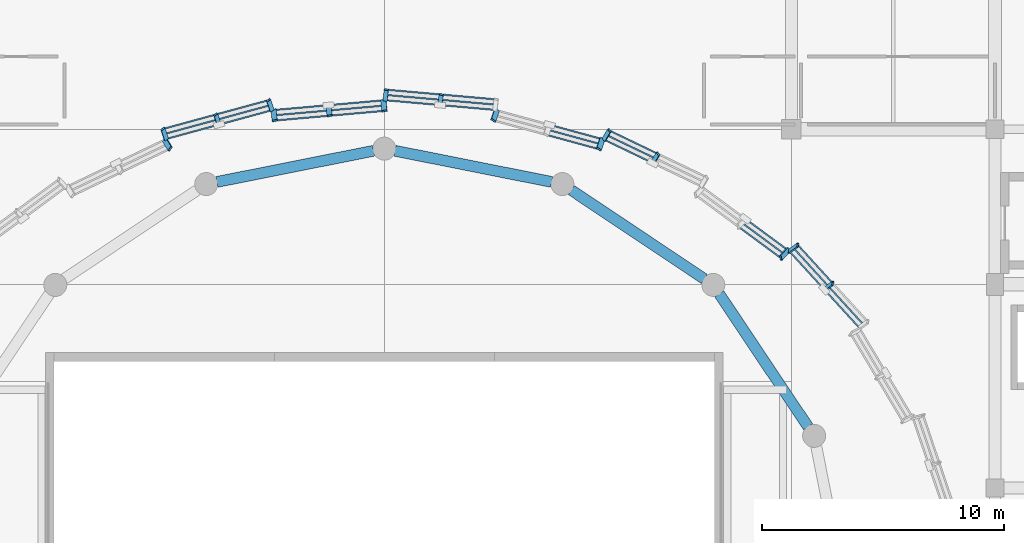
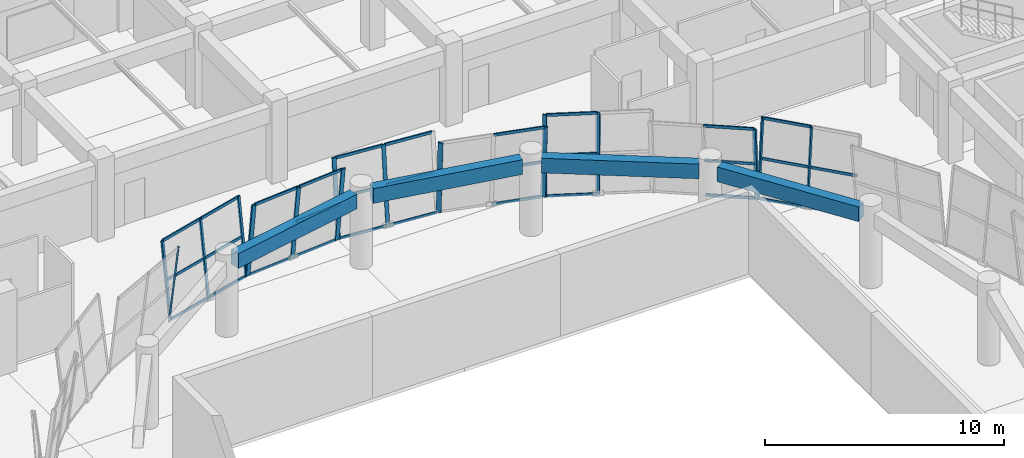
# One storey, part 35 of 71: 48 members, 4 beams, 8 elements without a shape of their own.
"""IFC4 building model written with IfcOpenShell, lengths in metres."""

from ifc_helpers import new_model, si_unit, direction, frame, origin, origin_2d, place, context, subcontext, project, spatial, rectangle, hollow_rectangle, extrude, material, material_profile, profile_set, type_object, element, aggregate, save


model = new_model("IFC4")

# Units and contexts
model_context = context("Model", 3, precision=1e-05, world=origin(), true_north=direction((0.0, 1.0)))
body_context = subcontext(model_context, "Body", "Model", "MODEL_VIEW")
ifc_project = project(units=[si_unit("LENGTHUNIT", "METRE"), si_unit("AREAUNIT", "SQUARE_METRE"), si_unit("VOLUMEUNIT", "CUBIC_METRE"), si_unit("PLANEANGLEUNIT", "RADIAN"), si_unit("MASSUNIT", "GRAM", prefix="KILO")], contexts=[model_context])

# Site, building, storey
site_placement = place(None, origin())
site = spatial("IfcSite", under=ifc_project, at=site_placement, CompositionType="ELEMENT")
building_placement = place(site_placement, origin())
building = spatial("IfcBuilding", under=site, at=building_placement, Name="Korsvaeld Concert Hall", CompositionType="ELEMENT")
storey_placement = place(building_placement, frame((0.0, 0.0, 4.800048828125)))
storey = spatial("IfcBuildingStorey", under=building, at=storey_placement, Name="L01", CompositionType="ELEMENT", Elevation=4.800048828125)

# Beams
ifc_material_1 = material(Name="Concrete C35/45", Category="concrete")
ifc_material_profile_1 = material_profile(ifc_material_1, rectangle(XDim=0.449951171875, YDim=0.75, at=origin_2d()), Name="RC 450x750")
ifc_profile_set_1 = profile_set([ifc_material_profile_1], Name="Concrete C35/45")
beam_type = type_object("IfcBeamType", Name="BM-RC-450x750", PredefinedType="T_BEAM", material=ifc_profile_set_1)
for number, where, z_axis, x_axis, name in (
    (1, (101.488525390625, 70.921630859375, 3.46484375), (-0.555571711953, 0.831468624109, 0.0), (-0.831468624109, -0.555571711953, 0.0), "Drum ring floor girder L01 02"),
    (2, (97.202392578125, 77.026611328125, 3.46484375), (-0.83148573347, 0.55554610523, 0.0), (-0.55554610523, -0.83148573347, 0.0), "Drum ring floor girder L01 03"),
):
    element("IfcBeam", number, at=place(storey_placement, frame(where, z_axis=z_axis, x_axis=x_axis)), inside=storey, type_object=beam_type, Name=name, PredefinedType="T_BEAM", context=body_context, shape_type="SweptSolid", body=[
        extrude(rectangle(XDim=0.449951171875, YDim=0.75, at=origin_2d()), origin(), (0.0, 0.0, 1.0), 6.591552734375),
    ])
for number, where, z_axis, x_axis, name in (
    (3, (90.906005859375, 81.0263671875, 3.46484375), (-0.980785284484, 0.195090301499, 0.0), (-0.195090301499, -0.980785284484, 0.0), "Drum ring floor girder L01 04"),
    (4, (83.55859375, 82.312255859375, 3.46484375), (-0.980785284484, -0.195090301499, 0.0), (0.195090301499, -0.980785284484, 0.0), "Drum ring floor girder L01 05"),
):
    element("IfcBeam", number, at=place(storey_placement, frame(where, z_axis=z_axis, x_axis=x_axis)), inside=storey, type_object=beam_type, Name=name, PredefinedType="T_BEAM", context=body_context, shape_type="SweptSolid", body=[
        extrude(rectangle(XDim=0.449951171875, YDim=0.75, at=origin_2d()), origin(), (0.0, 0.0, 1.0), 6.59130859375),
    ])

# Curtain wall, members
ifc_material_2 = material(Name="Anodised bronze and ceramic-fritted safety glass", Category="glass")
curtain_wall_type_1 = type_object("IfcCurtainWallType", Name="CW-TYPE-04", PredefinedType="USERDEFINED", material=ifc_material_2)
curtain_wall_1_placement = place(storey_placement, origin())
curtain_wall_1 = element("IfcCurtainWall", 5, at=curtain_wall_1_placement, inside=storey, type_object=curtain_wall_type_1, Name="Crystal curtain-wall facet L01 F04", ObjectType="CURTAIN WALL", PredefinedType="USERDEFINED")
ifc_material_3 = material(Name="Anodised architectural bronze aluminium", Category="aluminium")
ifc_material_profile_2 = material_profile(ifc_material_3, hollow_rectangle(XDim=0.074951171875, YDim=0.179931640625, WallThickness=0.0048828125, at=origin_2d()), Name="CWM 180x75x5")
ifc_profile_set_2 = profile_set([ifc_material_profile_2], Name="Anodised architectural bronze aluminium")
member_type_1 = type_object("IfcMemberType", Name="CWM-BRONZE-180x75", PredefinedType="MULLION", material=ifc_profile_set_2)
member_1_placement = place(storey_placement, frame((102.1552734375, 76.58447265625, 0.0), z_axis=(0.091092396556, 0.067147037681, 0.993576092013), x_axis=(0.977499972004, -0.19664090034, -0.076329293496)))
member_1 = element("IfcMember", 6, at=member_1_placement, type_object=member_type_1, Name="CW-CRYS-L01-F04 crystal mullion 2", PredefinedType="MULLION", context=body_context, shape_type="SweptSolid", body=[
    extrude(hollow_rectangle(XDim=0.074951171875, YDim=0.179931640625, WallThickness=0.0048828125, at=origin_2d()), origin(), (0.0, 0.0, 1.0), 3.905029296875),
])
member_2_placement = place(storey_placement, frame((100.712890625, 78.1630859375, 0.0), z_axis=(0.091154397761, 0.067146655141, 0.993570431561), x_axis=(0.977432414107, -0.196963442342, -0.076362806613)))
member_2 = element("IfcMember", 7, at=member_2_placement, type_object=member_type_1, Name="CW-CRYS-L01-F04 crystal mullion 3", PredefinedType="MULLION", context=body_context, shape_type="SweptSolid", body=[
    extrude(hollow_rectangle(XDim=0.074951171875, YDim=0.179931640625, WallThickness=0.0048828125, at=origin_2d()), origin(), (0.0, 0.0, 1.0), 3.905029296875),
])

curtain_wall_type_2 = type_object("IfcCurtainWallType", Name="CW-TYPE-06", PredefinedType="USERDEFINED", material=ifc_material_2)
curtain_wall_2_placement = place(storey_placement, origin())
curtain_wall_2 = element("IfcCurtainWall", 8, at=curtain_wall_2_placement, inside=storey, type_object=curtain_wall_type_2, Name="Crystal curtain-wall facet L01 F06", ObjectType="CURTAIN WALL", PredefinedType="USERDEFINED")
member_3_placement = place(storey_placement, frame((95.0712890625, 81.806640625, 0.0), z_axis=(0.057893742062, 0.097281493141, 0.993571651026), x_axis=(0.829999138773, 0.548349174532, -0.102052008437)))
member_3 = element("IfcMember", 9, at=member_3_placement, type_object=member_type_1, Name="CW-CRYS-L01-F06 crystal mullion 2", PredefinedType="MULLION", context=body_context, shape_type="SweptSolid", body=[
    extrude(hollow_rectangle(XDim=0.074951171875, YDim=0.179931640625, WallThickness=0.0048828125, at=origin_2d()), origin(), (0.0, 0.0, 1.0), 3.905029296875),
])
member_4_placement = place(storey_placement, frame((93.065185546875, 82.77001953125, 0.0), z_axis=(0.057893742062, 0.097281493141, 0.993571651026), x_axis=(0.829999138773, 0.548349174532, -0.102052008437)))
member_4 = element("IfcMember", 10, at=member_4_placement, type_object=member_type_1, Name="CW-CRYS-L01-F06 crystal mullion 3", PredefinedType="MULLION", context=body_context, shape_type="SweptSolid", body=[
    extrude(hollow_rectangle(XDim=0.074951171875, YDim=0.179931640625, WallThickness=0.0048828125, at=origin_2d()), origin(), (0.0, 0.0, 1.0), 3.905029296875),
])

curtain_wall_type_3 = type_object("IfcCurtainWallType", Name="CW-TYPE-08", PredefinedType="USERDEFINED", material=ifc_material_2)
curtain_wall_3_placement = place(storey_placement, origin())
curtain_wall_3 = element("IfcCurtainWall", 11, at=curtain_wall_3_placement, inside=storey, type_object=curtain_wall_type_3, Name="Crystal curtain-wall facet L01 F08", ObjectType="CURTAIN WALL", PredefinedType="USERDEFINED")
member_5_placement = place(storey_placement, frame((86.302001953125, 84.1962890625, 0.0), z_axis=(0.012378993159, 0.11253630145, 0.993570501466), x_axis=(0.195828135114, 0.974132056409, -0.112774457103)))
member_5 = element("IfcMember", 12, at=member_5_placement, type_object=member_type_1, Name="CW-CRYS-L01-F08 crystal mullion 2", PredefinedType="MULLION", context=body_context, shape_type="SweptSolid", body=[
    extrude(hollow_rectangle(XDim=0.074951171875, YDim=0.179931640625, WallThickness=0.0048828125, at=origin_2d()), origin(), (0.0, 0.0, 1.0), 3.905029296875),
])
member_6_placement = place(storey_placement, frame((84.037353515625, 84.396728515625, 0.0), z_axis=(0.0123164825, 0.112536388326, 0.993571268486), x_axis=(0.195293442092, 0.974240168355, -0.11276775177)))
member_6 = element("IfcMember", 13, at=member_6_placement, type_object=member_type_1, Name="CW-CRYS-L01-F08 crystal mullion 3", PredefinedType="MULLION", context=body_context, shape_type="SweptSolid", body=[
    extrude(hollow_rectangle(XDim=0.074951171875, YDim=0.179931640625, WallThickness=0.0048828125, at=origin_2d()), origin(), (0.0, 0.0, 1.0), 3.905029296875),
])

curtain_wall_type_4 = type_object("IfcCurtainWallType", Name="CW-TYPE-02", PredefinedType="USERDEFINED", material=ifc_material_2)
curtain_wall_4_placement = place(storey_placement, origin())
curtain_wall_4 = element("IfcCurtainWall", 14, at=curtain_wall_4_placement, inside=storey, type_object=curtain_wall_type_4, Name="Crystal curtain-wall facet L01 F10", ObjectType="CURTAIN WALL", PredefinedType="USERDEFINED")
member_7_placement = place(storey_placement, frame((79.359619140625, 83.982666015625, 0.0), z_axis=(-0.036199127939, 0.107284462077, 0.993569155788), x_axis=(-0.555586106848, 0.82425112305, -0.109243599485)))
member_7 = element("IfcMember", 15, at=member_7_placement, type_object=member_type_1, Name="CW-CRYS-L01-F10 crystal mullion 1", PredefinedType="MULLION", context=body_context, shape_type="SweptSolid", body=[
    extrude(hollow_rectangle(XDim=0.074951171875, YDim=0.179931640625, WallThickness=0.0048828125, at=origin_2d()), origin(), (0.0, 0.0, 1.0), 3.905029296875),
])
member_8_placement = place(storey_placement, frame((77.182373046875, 83.389404296875, 0.0), z_axis=(-0.036261565885, 0.107284219065, 0.993566905235), x_axis=(-0.556016496994, 0.823958329051, -0.109262651706)))
member_8 = element("IfcMember", 16, at=member_8_placement, type_object=member_type_1, Name="CW-CRYS-L01-F10 crystal mullion 2", PredefinedType="MULLION", context=body_context, shape_type="SweptSolid", body=[
    extrude(hollow_rectangle(XDim=0.074951171875, YDim=0.179931640625, WallThickness=0.0048828125, at=origin_2d()), origin(), (0.0, 0.0, 1.0), 3.905029296875),
])
member_9_placement = place(storey_placement, frame((75.0048828125, 82.796142578125, 0.0), z_axis=(-0.036199370674, 0.107222660976, 0.993575818212), x_axis=(-0.55573373549, 0.824159071594, -0.109187178494)))
member_9 = element("IfcMember", 17, at=member_9_placement, type_object=member_type_1, Name="CW-CRYS-L01-F10 crystal mullion 3", PredefinedType="MULLION", context=body_context, shape_type="SweptSolid", body=[
    extrude(hollow_rectangle(XDim=0.074951171875, YDim=0.179931640625, WallThickness=0.0048828125, at=origin_2d()), origin(), (0.0, 0.0, 1.0), 3.905029296875),
])

# Curtain wall, member
curtain_wall_type_5 = type_object("IfcCurtainWallType", Name="CW-TYPE-05", PredefinedType="USERDEFINED", material=ifc_material_2)
curtain_wall_5_placement = place(storey_placement, origin())
curtain_wall_5 = element("IfcCurtainWall", 18, at=curtain_wall_5_placement, inside=storey, type_object=curtain_wall_type_5, Name="Crystal curtain-wall facet L01 F05", ObjectType="CURTAIN WALL", PredefinedType="USERDEFINED")
ifc_material_profile_3 = material_profile(ifc_material_3, hollow_rectangle(XDim=0.074951171875, YDim=0.219970703125, WallThickness=0.006103515625, at=origin_2d()), Name="CWM 220x75x6")
ifc_profile_set_3 = profile_set([ifc_material_profile_3], Name="Anodised architectural bronze aluminium")
member_type_2 = type_object("IfcMemberType", Name="CWM-BRONZE-220x75", PredefinedType="MULLION", material=ifc_profile_set_3)
member_10_placement = place(storey_placement, frame((100.657470703125, 78.212890625, 0.0), z_axis=(-0.076337242942, -0.083589593623, 0.993572043275), x_axis=(-0.97747454033, -0.190371504957, -0.091116480989)))
member_10 = element("IfcMember", 19, at=member_10_placement, type_object=member_type_2, Name="CW-CRYS-L01-F05 crystal mullion 1", PredefinedType="MULLION", context=body_context, shape_type="SweptSolid", body=[
    extrude(hollow_rectangle(XDim=0.074951171875, YDim=0.219970703125, WallThickness=0.006103515625, at=origin_2d()), origin(), (0.0, 0.0, 1.0), 3.905029296875),
])

# Curtain wall, members
curtain_wall_type_6 = type_object("IfcCurtainWallType", Name="CW-TYPE-07", PredefinedType="USERDEFINED", material=ifc_material_2)
curtain_wall_6_placement = place(storey_placement, origin())
curtain_wall_6 = element("IfcCurtainWall", 20, at=curtain_wall_6_placement, inside=storey, type_object=curtain_wall_type_6, Name="Crystal curtain-wall facet L01 F07", ObjectType="CURTAIN WALL", PredefinedType="USERDEFINED")
member_11_placement = place(storey_placement, frame((92.9951171875, 82.796142578125, 0.0), z_axis=(-0.036199127939, -0.107284462077, 0.993569155788), x_axis=(-0.555586106848, -0.82425112305, -0.109243599485)))
member_11 = element("IfcMember", 21, at=member_11_placement, type_object=member_type_2, Name="CW-CRYS-L01-F07 crystal mullion 1", PredefinedType="MULLION", context=body_context, shape_type="SweptSolid", body=[
    extrude(hollow_rectangle(XDim=0.074951171875, YDim=0.219970703125, WallThickness=0.006103515625, at=origin_2d()), origin(), (0.0, 0.0, 1.0), 3.905029296875),
])
member_12_placement = place(storey_placement, frame((88.640380859375, 83.982666015625, 0.0), z_axis=(-0.036261809037, -0.107222418101, 0.993573567614), x_axis=(-0.556164276889, -0.823866065586, -0.109206241069)))
member_12 = element("IfcMember", 22, at=member_12_placement, type_object=member_type_2, Name="CW-CRYS-L01-F07 crystal mullion 3", PredefinedType="MULLION", context=body_context, shape_type="SweptSolid", body=[
    extrude(hollow_rectangle(XDim=0.074951171875, YDim=0.219970703125, WallThickness=0.006103515625, at=origin_2d()), origin(), (0.0, 0.0, 1.0), 3.905029296875),
])

curtain_wall_type_7 = type_object("IfcCurtainWallType", Name="CW-TYPE-01", PredefinedType="USERDEFINED", material=ifc_material_2)
curtain_wall_7_placement = place(storey_placement, origin())
curtain_wall_7 = element("IfcCurtainWall", 23, at=curtain_wall_7_placement, inside=storey, type_object=curtain_wall_type_7, Name="Crystal curtain-wall facet L01 F09", ObjectType="CURTAIN WALL", PredefinedType="USERDEFINED")
member_13_placement = place(storey_placement, frame((83.962646484375, 84.396728515625, 0.0), z_axis=(0.0123164825, -0.112536388326, 0.993571268486), x_axis=(0.195293442092, -0.974240168355, -0.11276775177)))
member_13 = element("IfcMember", 24, at=member_13_placement, type_object=member_type_2, Name="CW-CRYS-L01-F09 crystal mullion 1", PredefinedType="MULLION", context=body_context, shape_type="SweptSolid", body=[
    extrude(hollow_rectangle(XDim=0.074951171875, YDim=0.219970703125, WallThickness=0.006103515625, at=origin_2d()), origin(), (0.0, 0.0, 1.0), 3.905029296875),
])
member_14_placement = place(storey_placement, frame((81.697998046875, 84.1962890625, 0.0), z_axis=(0.0123164825, -0.112536388326, 0.993571268486), x_axis=(0.195293442092, -0.974240168355, -0.11276775177)))
member_14 = element("IfcMember", 25, at=member_14_placement, type_object=member_type_2, Name="CW-CRYS-L01-F09 crystal mullion 2", PredefinedType="MULLION", context=body_context, shape_type="SweptSolid", body=[
    extrude(hollow_rectangle(XDim=0.074951171875, YDim=0.219970703125, WallThickness=0.006103515625, at=origin_2d()), origin(), (0.0, 0.0, 1.0), 3.905029296875),
])
member_15_placement = place(storey_placement, frame((79.433349609375, 83.995849609375, 0.0), z_axis=(0.0123164825, -0.112536388326, 0.993571268486), x_axis=(0.195293442092, -0.974240168355, -0.11276775177)))
member_15 = element("IfcMember", 26, at=member_15_placement, type_object=member_type_2, Name="CW-CRYS-L01-F09 crystal mullion 3", PredefinedType="MULLION", context=body_context, shape_type="SweptSolid", body=[
    extrude(hollow_rectangle(XDim=0.074951171875, YDim=0.219970703125, WallThickness=0.006103515625, at=origin_2d()), origin(), (0.0, 0.0, 1.0), 3.905029296875),
])

# Curtain wall, member
curtain_wall_type_8 = type_object("IfcCurtainWallType", Name="CW-TYPE-03", PredefinedType="USERDEFINED", material=ifc_material_2)
curtain_wall_8_placement = place(storey_placement, origin())
curtain_wall_8 = element("IfcCurtainWall", 27, at=curtain_wall_8_placement, inside=storey, type_object=curtain_wall_type_8, Name="Crystal curtain-wall facet L01 F11", ObjectType="CURTAIN WALL", PredefinedType="USERDEFINED")
member_16_placement = place(storey_placement, frame((74.934814453125, 82.77001953125, 0.0), z_axis=(0.057893742062, -0.097281493141, 0.993571651026), x_axis=(0.829999138773, -0.548349174532, -0.102052008437)))
member_16 = element("IfcMember", 28, at=member_16_placement, type_object=member_type_2, Name="CW-CRYS-L01-F11 crystal mullion 1", PredefinedType="MULLION", context=body_context, shape_type="SweptSolid", body=[
    extrude(hollow_rectangle(XDim=0.074951171875, YDim=0.219970703125, WallThickness=0.006103515625, at=origin_2d()), origin(), (0.0, 0.0, 1.0), 3.905029296875),
])
aggregate(curtain_wall_8, [member_16])

# Member
ifc_material_profile_4 = material_profile(ifc_material_3, hollow_rectangle(XDim=0.06005859375, YDim=0.139892578125, WallThickness=0.00390625, at=origin_2d()), Name="CWT 140x60x4")
ifc_profile_set_4 = profile_set([ifc_material_profile_4], Name="Anodised architectural bronze aluminium")
member_type_3 = type_object("IfcMemberType", Name="CWT-BRONZE-140x60", PredefinedType="USERDEFINED", material=ifc_profile_set_4)
member_17_placement = place(storey_placement, frame((103.574951171875, 75.035400390625, 0.030029296875), z_axis=(-0.674437681465, 0.738331777604, 0.0), x_axis=(-0.738331777604, -0.674437681465, 0.0)))
member_17 = element("IfcMember", 29, at=member_17_placement, type_object=member_type_3, Name="CW-CRYS-L01-F04 crystal transom 1.1", ObjectType="TRANSOM", PredefinedType="USERDEFINED", context=body_context, shape_type="SweptSolid", body=[
    extrude(hollow_rectangle(XDim=0.06005859375, YDim=0.139892578125, WallThickness=0.00390625, at=origin_2d()), origin(), (0.0, 0.0, 1.0), 2.063232421875),
])

member_18_placement = place(storey_placement, frame((103.75, 75.16455078125, 1.93994140625), z_axis=(-0.674437681465, 0.738331777604, 0.0), x_axis=(-0.738331777604, -0.674437681465, 0.0)))
member_18 = element("IfcMember", 30, at=member_18_placement, type_object=member_type_3, Name="CW-CRYS-L01-F04 crystal transom 1.2", ObjectType="TRANSOM", PredefinedType="USERDEFINED", context=body_context, shape_type="SweptSolid", body=[
    extrude(hollow_rectangle(XDim=0.06005859375, YDim=0.139892578125, WallThickness=0.00390625, at=origin_2d()), origin(), (0.0, 0.0, 1.0), 2.063232421875),
])

member_19_placement = place(storey_placement, frame((102.132568359375, 76.614013671875, 0.030029296875), z_axis=(-0.674437681465, 0.738331777604, 0.0), x_axis=(-0.738331777604, -0.674437681465, 0.0)))
member_19 = element("IfcMember", 31, at=member_19_placement, type_object=member_type_3, Name="CW-CRYS-L01-F04 crystal transom 2.1", ObjectType="TRANSOM", PredefinedType="USERDEFINED", context=body_context, shape_type="SweptSolid", body=[
    extrude(hollow_rectangle(XDim=0.06005859375, YDim=0.139892578125, WallThickness=0.00390625, at=origin_2d()), origin(), (0.0, 0.0, 1.0), 2.063232421875),
])

member_20_placement = place(storey_placement, frame((102.307861328125, 76.7431640625, 1.93994140625), z_axis=(-0.674437681465, 0.738331777604, 0.0), x_axis=(-0.738331777604, -0.674437681465, 0.0)))
member_20 = element("IfcMember", 32, at=member_20_placement, type_object=member_type_3, Name="CW-CRYS-L01-F04 crystal transom 2.2", ObjectType="TRANSOM", PredefinedType="USERDEFINED", context=body_context, shape_type="SweptSolid", body=[
    extrude(hollow_rectangle(XDim=0.06005859375, YDim=0.139892578125, WallThickness=0.00390625, at=origin_2d()), origin(), (0.0, 0.0, 1.0), 2.063232421875),
])

member_21_placement = place(storey_placement, frame((102.48291015625, 76.872314453125, 3.849853515625), z_axis=(-0.674496604142, 0.738277949692, 0.0), x_axis=(-0.738277949692, -0.674496604142, 0.0)))
member_21 = element("IfcMember", 33, at=member_21_placement, type_object=member_type_3, Name="CW-CRYS-L01-F04 crystal transom 2.3", ObjectType="TRANSOM", PredefinedType="USERDEFINED", context=body_context, shape_type="SweptSolid", body=[
    extrude(hollow_rectangle(XDim=0.06005859375, YDim=0.139892578125, WallThickness=0.00390625, at=origin_2d()), origin(), (0.0, 0.0, 1.0), 2.063232421875),
])

aggregate(curtain_wall_1, [member_1, member_2, member_17, member_18, member_19, member_20, member_21])

member_22_placement = place(storey_placement, frame((100.625, 78.232666015625, 0.030029296875), z_axis=(-0.804904507896, 0.593404358906, 0.0), x_axis=(-0.593404358906, -0.804904507896, 0.0)))
member_22 = element("IfcMember", 34, at=member_22_placement, type_object=member_type_3, Name="CW-CRYS-L01-F05 crystal transom 1.1", ObjectType="TRANSOM", PredefinedType="USERDEFINED", context=body_context, shape_type="SweptSolid", body=[
    extrude(hollow_rectangle(XDim=0.06005859375, YDim=0.139892578125, WallThickness=0.00390625, at=origin_2d()), origin(), (0.0, 0.0, 1.0), 2.10888671875),
])

member_23_placement = place(storey_placement, frame((100.478271484375, 78.072021484375, 1.93994140625), z_axis=(-0.804904507896, 0.593404358906, 0.0), x_axis=(-0.593404358906, -0.804904507896, 0.0)))
member_23 = element("IfcMember", 35, at=member_23_placement, type_object=member_type_3, Name="CW-CRYS-L01-F05 crystal transom 1.2", ObjectType="TRANSOM", PredefinedType="USERDEFINED", context=body_context, shape_type="SweptSolid", body=[
    extrude(hollow_rectangle(XDim=0.06005859375, YDim=0.139892578125, WallThickness=0.00390625, at=origin_2d()), origin(), (0.0, 0.0, 1.0), 2.10888671875),
])

member_24_placement = place(storey_placement, frame((100.33154296875, 77.911376953125, 3.849853515625), z_axis=(-0.804904507896, 0.593404358906, 0.0), x_axis=(-0.593404358906, -0.804904507896, 0.0)))
member_24 = element("IfcMember", 36, at=member_24_placement, type_object=member_type_3, Name="CW-CRYS-L01-F05 crystal transom 1.3", ObjectType="TRANSOM", PredefinedType="USERDEFINED", context=body_context, shape_type="SweptSolid", body=[
    extrude(hollow_rectangle(XDim=0.06005859375, YDim=0.139892578125, WallThickness=0.00390625, at=origin_2d()), origin(), (0.0, 0.0, 1.0), 2.10888671875),
])

aggregate(curtain_wall_5, [member_10, member_22, member_23, member_24])

member_25_placement = place(storey_placement, frame((95.039306640625, 81.825927734375, 0.030029296875), z_axis=(-0.901508884705, 0.432760592935, 0.0), x_axis=(-0.432760592935, -0.901508884705, 0.0)))
member_25 = element("IfcMember", 37, at=member_25_placement, type_object=member_type_3, Name="CW-CRYS-L01-F06 crystal transom 2.1", ObjectType="TRANSOM", PredefinedType="USERDEFINED", context=body_context, shape_type="SweptSolid", body=[
    extrude(hollow_rectangle(XDim=0.06005859375, YDim=0.139892578125, WallThickness=0.00390625, at=origin_2d()), origin(), (0.0, 0.0, 1.0), 2.150634765625),
])

member_26_placement = place(storey_placement, frame((95.150634765625, 82.012939453125, 1.93994140625), z_axis=(-0.901508884705, 0.432760592935, 0.0), x_axis=(-0.432760592935, -0.901508884705, 0.0)))
member_26 = element("IfcMember", 38, at=member_26_placement, type_object=member_type_3, Name="CW-CRYS-L01-F06 crystal transom 2.2", ObjectType="TRANSOM", PredefinedType="USERDEFINED", context=body_context, shape_type="SweptSolid", body=[
    extrude(hollow_rectangle(XDim=0.06005859375, YDim=0.139892578125, WallThickness=0.00390625, at=origin_2d()), origin(), (0.0, 0.0, 1.0), 2.150634765625),
])

member_27_placement = place(storey_placement, frame((95.261962890625, 82.199951171875, 3.849853515625), z_axis=(-0.901508884705, 0.432760592935, 0.0), x_axis=(-0.432760592935, -0.901508884705, 0.0)))
member_27 = element("IfcMember", 39, at=member_27_placement, type_object=member_type_3, Name="CW-CRYS-L01-F06 crystal transom 2.3", ObjectType="TRANSOM", PredefinedType="USERDEFINED", context=body_context, shape_type="SweptSolid", body=[
    extrude(hollow_rectangle(XDim=0.06005859375, YDim=0.139892578125, WallThickness=0.00390625, at=origin_2d()), origin(), (0.0, 0.0, 1.0), 2.150634765625),
])

aggregate(curtain_wall_2, [member_3, member_4, member_25, member_26, member_27])

member_28_placement = place(storey_placement, frame((92.957763671875, 82.802734375, 0.030029296875), z_axis=(-0.964833511963, 0.262861739689, 0.0), x_axis=(-0.262861739689, -0.964833511963, 0.0)))
member_28 = element("IfcMember", 40, at=member_28_placement, type_object=member_type_3, Name="CW-CRYS-L01-F07 crystal transom 1.1", ObjectType="TRANSOM", PredefinedType="USERDEFINED", context=body_context, shape_type="SweptSolid", body=[
    extrude(hollow_rectangle(XDim=0.06005859375, YDim=0.139892578125, WallThickness=0.00390625, at=origin_2d()), origin(), (0.0, 0.0, 1.0), 2.181640625),
])

member_29_placement = place(storey_placement, frame((92.88818359375, 82.596435546875, 1.93994140625), z_axis=(-0.964805126409, 0.262965906641, 0.0), x_axis=(-0.262965906641, -0.964805126409, 0.0)))
member_29 = element("IfcMember", 41, at=member_29_placement, type_object=member_type_3, Name="CW-CRYS-L01-F07 crystal transom 1.2", ObjectType="TRANSOM", PredefinedType="USERDEFINED", context=body_context, shape_type="SweptSolid", body=[
    extrude(hollow_rectangle(XDim=0.06005859375, YDim=0.139892578125, WallThickness=0.00390625, at=origin_2d()), origin(), (0.0, 0.0, 1.0), 2.181884765625),
])

member_30_placement = place(storey_placement, frame((92.818603515625, 82.390380859375, 3.849853515625), z_axis=(-0.964833511963, 0.262861739689, 0.0), x_axis=(-0.262861739689, -0.964833511963, 0.0)))
member_30 = element("IfcMember", 42, at=member_30_placement, type_object=member_type_3, Name="CW-CRYS-L01-F07 crystal transom 1.3", ObjectType="TRANSOM", PredefinedType="USERDEFINED", context=body_context, shape_type="SweptSolid", body=[
    extrude(hollow_rectangle(XDim=0.06005859375, YDim=0.139892578125, WallThickness=0.00390625, at=origin_2d()), origin(), (0.0, 0.0, 1.0), 2.181640625),
])

aggregate(curtain_wall_6, [member_11, member_12, member_28, member_29, member_30])

member_31_placement = place(storey_placement, frame((88.52978515625, 84.002685546875, 0.030029296875), z_axis=(-0.996114965607, 0.088062337539, 0.0), x_axis=(-0.088062337539, -0.996114965607, 0.0)))
member_31 = element("IfcMember", 43, at=member_31_placement, type_object=member_type_3, Name="CW-CRYS-L01-F08 crystal transom 1.1", ObjectType="TRANSOM", PredefinedType="USERDEFINED", context=body_context, shape_type="SweptSolid", body=[
    extrude(hollow_rectangle(XDim=0.06005859375, YDim=0.139892578125, WallThickness=0.00390625, at=origin_2d()), origin(), (0.0, 0.0, 1.0), 2.198486328125),
])

member_32_placement = place(storey_placement, frame((88.553466796875, 84.218994140625, 1.93994140625), z_axis=(-0.996114965607, 0.088062337539, 0.0), x_axis=(-0.088062337539, -0.996114965607, 0.0)))
member_32 = element("IfcMember", 44, at=member_32_placement, type_object=member_type_3, Name="CW-CRYS-L01-F08 crystal transom 1.2", ObjectType="TRANSOM", PredefinedType="USERDEFINED", context=body_context, shape_type="SweptSolid", body=[
    extrude(hollow_rectangle(XDim=0.06005859375, YDim=0.139892578125, WallThickness=0.00390625, at=origin_2d()), origin(), (0.0, 0.0, 1.0), 2.198486328125),
])

member_33_placement = place(storey_placement, frame((88.5771484375, 84.435302734375, 3.849853515625), z_axis=(-0.996105218313, 0.088172524341, 0.0), x_axis=(-0.088172524341, -0.996105218313, 0.0)))
member_33 = element("IfcMember", 45, at=member_33_placement, type_object=member_type_3, Name="CW-CRYS-L01-F08 crystal transom 1.3", ObjectType="TRANSOM", PredefinedType="USERDEFINED", context=body_context, shape_type="SweptSolid", body=[
    extrude(hollow_rectangle(XDim=0.06005859375, YDim=0.139892578125, WallThickness=0.00390625, at=origin_2d()), origin(), (0.0, 0.0, 1.0), 2.198486328125),
])

member_34_placement = place(storey_placement, frame((86.26513671875, 84.202880859375, 0.030029296875), z_axis=(-0.996105218313, 0.088172524341, 0.0), x_axis=(-0.088172524341, -0.996105218313, 0.0)))
member_34 = element("IfcMember", 46, at=member_34_placement, type_object=member_type_3, Name="CW-CRYS-L01-F08 crystal transom 2.1", ObjectType="TRANSOM", PredefinedType="USERDEFINED", context=body_context, shape_type="SweptSolid", body=[
    extrude(hollow_rectangle(XDim=0.06005859375, YDim=0.139892578125, WallThickness=0.00390625, at=origin_2d()), origin(), (0.0, 0.0, 1.0), 2.198486328125),
])

member_35_placement = place(storey_placement, frame((86.288818359375, 84.41943359375, 1.93994140625), z_axis=(-0.996114965607, 0.088062337539, 0.0), x_axis=(-0.088062337539, -0.996114965607, 0.0)))
member_35 = element("IfcMember", 47, at=member_35_placement, type_object=member_type_3, Name="CW-CRYS-L01-F08 crystal transom 2.2", ObjectType="TRANSOM", PredefinedType="USERDEFINED", context=body_context, shape_type="SweptSolid", body=[
    extrude(hollow_rectangle(XDim=0.06005859375, YDim=0.139892578125, WallThickness=0.00390625, at=origin_2d()), origin(), (0.0, 0.0, 1.0), 2.198486328125),
])

member_36_placement = place(storey_placement, frame((86.3125, 84.6357421875, 3.849853515625), z_axis=(-0.996114965607, 0.088062337539, 0.0), x_axis=(-0.088062337539, -0.996114965607, 0.0)))
member_36 = element("IfcMember", 48, at=member_36_placement, type_object=member_type_3, Name="CW-CRYS-L01-F08 crystal transom 2.3", ObjectType="TRANSOM", PredefinedType="USERDEFINED", context=body_context, shape_type="SweptSolid", body=[
    extrude(hollow_rectangle(XDim=0.06005859375, YDim=0.139892578125, WallThickness=0.00390625, at=origin_2d()), origin(), (0.0, 0.0, 1.0), 2.198486328125),
])

aggregate(curtain_wall_3, [member_5, member_6, member_31, member_32, member_33, member_34, member_35, member_36])

member_37_placement = place(storey_placement, frame((83.92578125, 84.389892578125, 0.030029296875), z_axis=(-0.996115826652, -0.088052597317, 0.0), x_axis=(0.088052597317, -0.996115826652, 0.0)))
member_37 = element("IfcMember", 49, at=member_37_placement, type_object=member_type_3, Name="CW-CRYS-L01-F09 crystal transom 1.1", ObjectType="TRANSOM", PredefinedType="USERDEFINED", context=body_context, shape_type="SweptSolid", body=[
    extrude(hollow_rectangle(XDim=0.06005859375, YDim=0.139892578125, WallThickness=0.00390625, at=origin_2d()), origin(), (0.0, 0.0, 1.0), 2.19873046875),
])

member_38_placement = place(storey_placement, frame((83.949462890625, 84.173583984375, 1.93994140625), z_axis=(-0.996115826652, -0.088052597317, 0.0), x_axis=(0.088052597317, -0.996115826652, 0.0)))
member_38 = element("IfcMember", 50, at=member_38_placement, type_object=member_type_3, Name="CW-CRYS-L01-F09 crystal transom 1.2", ObjectType="TRANSOM", PredefinedType="USERDEFINED", context=body_context, shape_type="SweptSolid", body=[
    extrude(hollow_rectangle(XDim=0.06005859375, YDim=0.139892578125, WallThickness=0.00390625, at=origin_2d()), origin(), (0.0, 0.0, 1.0), 2.19873046875),
])

member_39_placement = place(storey_placement, frame((83.97314453125, 83.957275390625, 3.849853515625), z_axis=(-0.996114965607, -0.088062337539, 0.0), x_axis=(0.088062337539, -0.996114965607, 0.0)))
member_39 = element("IfcMember", 51, at=member_39_placement, type_object=member_type_3, Name="CW-CRYS-L01-F09 crystal transom 1.3", ObjectType="TRANSOM", PredefinedType="USERDEFINED", context=body_context, shape_type="SweptSolid", body=[
    extrude(hollow_rectangle(XDim=0.06005859375, YDim=0.139892578125, WallThickness=0.00390625, at=origin_2d()), origin(), (0.0, 0.0, 1.0), 2.198486328125),
])

member_40_placement = place(storey_placement, frame((81.660888671875, 84.189697265625, 0.030029296875), z_axis=(-0.996105218313, -0.088172524341, 0.0), x_axis=(0.088172524341, -0.996105218313, 0.0)))
member_40 = element("IfcMember", 52, at=member_40_placement, type_object=member_type_3, Name="CW-CRYS-L01-F09 crystal transom 2.1", ObjectType="TRANSOM", PredefinedType="USERDEFINED", context=body_context, shape_type="SweptSolid", body=[
    extrude(hollow_rectangle(XDim=0.06005859375, YDim=0.139892578125, WallThickness=0.00390625, at=origin_2d()), origin(), (0.0, 0.0, 1.0), 2.198486328125),
])

member_41_placement = place(storey_placement, frame((81.6845703125, 83.973388671875, 1.93994140625), z_axis=(-0.996105218313, -0.088172524341, 0.0), x_axis=(0.088172524341, -0.996105218313, 0.0)))
member_41 = element("IfcMember", 53, at=member_41_placement, type_object=member_type_3, Name="CW-CRYS-L01-F09 crystal transom 2.2", ObjectType="TRANSOM", PredefinedType="USERDEFINED", context=body_context, shape_type="SweptSolid", body=[
    extrude(hollow_rectangle(XDim=0.06005859375, YDim=0.139892578125, WallThickness=0.00390625, at=origin_2d()), origin(), (0.0, 0.0, 1.0), 2.198486328125),
])

member_42_placement = place(storey_placement, frame((81.70849609375, 83.757080078125, 3.849853515625), z_axis=(-0.996106081505, -0.088162772123, 0.0), x_axis=(0.088162772123, -0.996106081505, 0.0)))
member_42 = element("IfcMember", 54, at=member_42_placement, type_object=member_type_3, Name="CW-CRYS-L01-F09 crystal transom 2.3", ObjectType="TRANSOM", PredefinedType="USERDEFINED", context=body_context, shape_type="SweptSolid", body=[
    extrude(hollow_rectangle(XDim=0.06005859375, YDim=0.139892578125, WallThickness=0.00390625, at=origin_2d()), origin(), (0.0, 0.0, 1.0), 2.19873046875),
])

aggregate(curtain_wall_7, [member_13, member_14, member_15, member_37, member_38, member_39, member_40, member_41, member_42])

member_43_placement = place(storey_placement, frame((79.322509765625, 83.97607421875, 0.030029296875), z_axis=(-0.964841242841, -0.262833361873, 0.0), x_axis=(0.262833361873, -0.964841242841, 0.0)))
member_43 = element("IfcMember", 55, at=member_43_placement, type_object=member_type_3, Name="CW-CRYS-L01-F10 crystal transom 1.1", ObjectType="TRANSOM", PredefinedType="USERDEFINED", context=body_context, shape_type="SweptSolid", body=[
    extrude(hollow_rectangle(XDim=0.06005859375, YDim=0.139892578125, WallThickness=0.00390625, at=origin_2d()), origin(), (0.0, 0.0, 1.0), 2.181884765625),
])

member_44_placement = place(storey_placement, frame((79.2529296875, 84.182373046875, 1.93994140625), z_axis=(-0.964812863187, -0.26293751925, 0.0), x_axis=(0.26293751925, -0.964812863187, 0.0)))
member_44 = element("IfcMember", 56, at=member_44_placement, type_object=member_type_3, Name="CW-CRYS-L01-F10 crystal transom 1.2", ObjectType="TRANSOM", PredefinedType="USERDEFINED", context=body_context, shape_type="SweptSolid", body=[
    extrude(hollow_rectangle(XDim=0.06005859375, YDim=0.139892578125, WallThickness=0.00390625, at=origin_2d()), origin(), (0.0, 0.0, 1.0), 2.181884765625),
])

member_45_placement = place(storey_placement, frame((79.18310546875, 84.388427734375, 3.849853515625), z_axis=(-0.964833511963, -0.262861739689, 0.0), x_axis=(0.262861739689, -0.964833511963, 0.0)))
member_45 = element("IfcMember", 57, at=member_45_placement, type_object=member_type_3, Name="CW-CRYS-L01-F10 crystal transom 1.3", ObjectType="TRANSOM", PredefinedType="USERDEFINED", context=body_context, shape_type="SweptSolid", body=[
    extrude(hollow_rectangle(XDim=0.06005859375, YDim=0.139892578125, WallThickness=0.00390625, at=origin_2d()), origin(), (0.0, 0.0, 1.0), 2.181640625),
])

member_46_placement = place(storey_placement, frame((77.14501953125, 83.3828125, 0.030029296875), z_axis=(-0.964805126409, -0.262965906641, 0.0), x_axis=(0.262965906641, -0.964805126409, 0.0)))
member_46 = element("IfcMember", 58, at=member_46_placement, type_object=member_type_3, Name="CW-CRYS-L01-F10 crystal transom 2.1", ObjectType="TRANSOM", PredefinedType="USERDEFINED", context=body_context, shape_type="SweptSolid", body=[
    extrude(hollow_rectangle(XDim=0.06005859375, YDim=0.139892578125, WallThickness=0.00390625, at=origin_2d()), origin(), (0.0, 0.0, 1.0), 2.181884765625),
])

member_47_placement = place(storey_placement, frame((77.075439453125, 83.5888671875, 1.93994140625), z_axis=(-0.964833511963, -0.262861739689, 0.0), x_axis=(0.262861739689, -0.964833511963, 0.0)))
member_47 = element("IfcMember", 59, at=member_47_placement, type_object=member_type_3, Name="CW-CRYS-L01-F10 crystal transom 2.2", ObjectType="TRANSOM", PredefinedType="USERDEFINED", context=body_context, shape_type="SweptSolid", body=[
    extrude(hollow_rectangle(XDim=0.06005859375, YDim=0.139892578125, WallThickness=0.00390625, at=origin_2d()), origin(), (0.0, 0.0, 1.0), 2.181640625),
])

member_48_placement = place(storey_placement, frame((77.005859375, 83.795166015625, 3.849853515625), z_axis=(-0.964812863187, -0.26293751925, 0.0), x_axis=(0.26293751925, -0.964812863187, 0.0)))
member_48 = element("IfcMember", 60, at=member_48_placement, type_object=member_type_3, Name="CW-CRYS-L01-F10 crystal transom 2.3", ObjectType="TRANSOM", PredefinedType="USERDEFINED", context=body_context, shape_type="SweptSolid", body=[
    extrude(hollow_rectangle(XDim=0.06005859375, YDim=0.139892578125, WallThickness=0.00390625, at=origin_2d()), origin(), (0.0, 0.0, 1.0), 2.181884765625),
])

aggregate(curtain_wall_4, [member_7, member_8, member_9, member_43, member_44, member_45, member_46, member_47, member_48])

save(model, "model.ifc")
